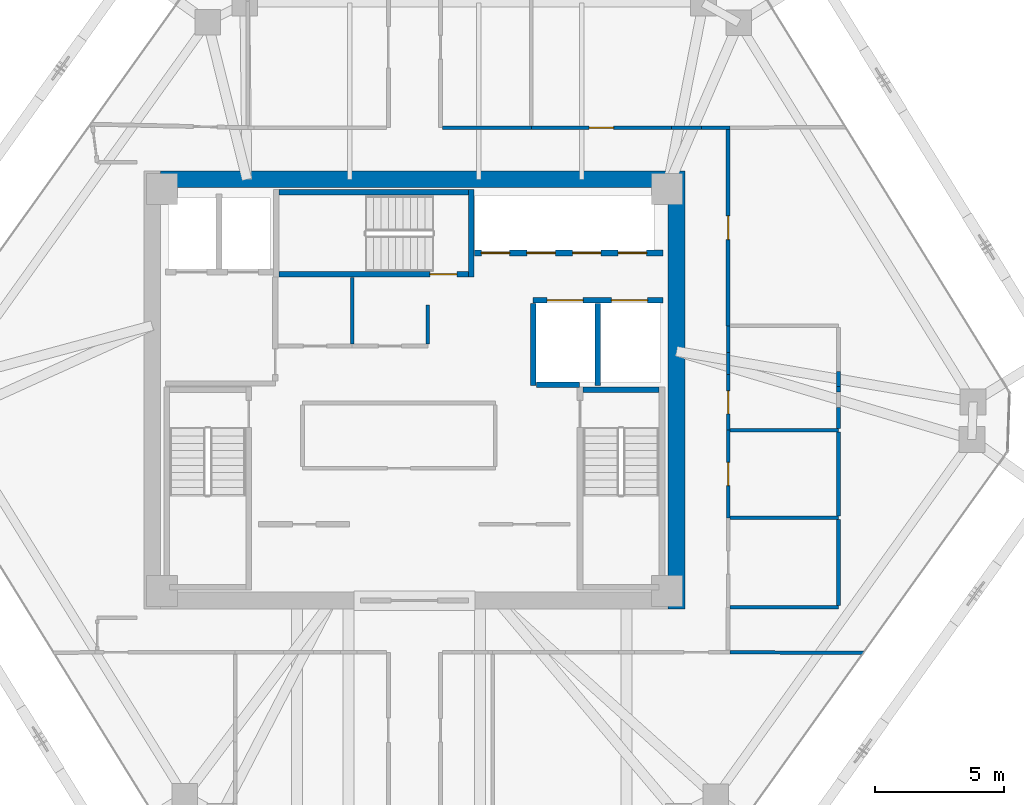
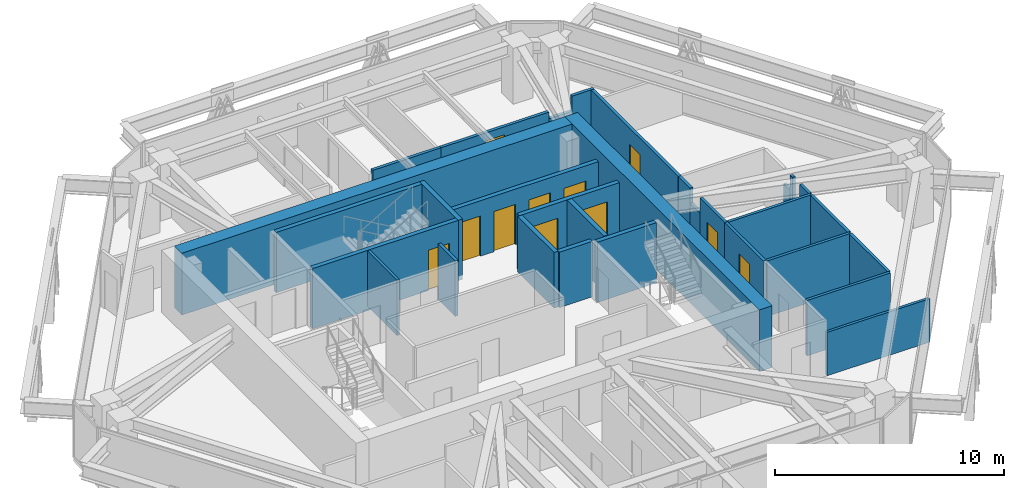
# One storey, part 12 of 14: 31 walls, 11 doors, 11 openings.
"""IFC4 building model written with IfcOpenShell, lengths in metres."""

from ifc_helpers import new_model, si_unit, direction, frame, frame_2d, origin, place, context, subcontext, project, spatial, rectangle, extrude, source, transform, mapped, material, layer, layer_set, type_object, type_shapes, element, fill, save


model = new_model("IFC4")

# Units and contexts
model_context = context("Model", 3, precision=1e-05, world=origin(), true_north=direction((0.0, 1.0)))
body_context = subcontext(model_context, "Body", "Model", "MODEL_VIEW")
ifc_project = project(units=[si_unit("LENGTHUNIT", "METRE"), si_unit("AREAUNIT", "SQUARE_METRE"), si_unit("VOLUMEUNIT", "CUBIC_METRE"), si_unit("PLANEANGLEUNIT", "RADIAN"), si_unit("MASSUNIT", "GRAM", prefix="KILO")], contexts=[model_context])

# Site, building, storey
site_placement = place(None, origin())
site = spatial("IfcSite", under=ifc_project, at=site_placement, CompositionType="ELEMENT")
building_placement = place(site_placement, origin())
building = spatial("IfcBuilding", under=site, at=building_placement, Name="Durnholm Broadcast Tower", CompositionType="ELEMENT")
storey_placement = place(building_placement, frame((0.0, 0.0, 159.300048828125)))
storey = spatial("IfcBuildingStorey", under=building, at=storey_placement, Name="L43", CompositionType="ELEMENT", Elevation=159.300048828125)

# Walls
ifc_material_1 = material(Name="Concrete C70/85", Category="concrete")
ifc_layer_1 = layer(ifc_material_1, 0.64990234375)
ifc_layer_set_1 = layer_set([ifc_layer_1], Name="Concrete C70/85")
wall_type_1 = type_object("IfcWallType", Name="WALL-CW-650", PredefinedType="SHEAR", material=ifc_layer_set_1)
wall_1_placement = place(storey_placement, frame((10.175048828125, -8.5, 0.0), z_axis=(0.0, 0.0, 1.0), x_axis=(0.0, 1.0, 0.0)))
element("IfcWall", 1, at=wall_1_placement, inside=storey, type_object=wall_type_1, Name="L43 central core shear wall CW-EAST", PredefinedType="SHEAR", context=body_context, shape_type="SweptSolid", body=[
    extrude(rectangle(XDim=17.0, YDim=0.64990234375, at=frame_2d((8.5, 0.0))), origin(), (0.0, 0.0, 1.0), 3.300048828125),
])
wall_2_placement = place(storey_placement, frame((-9.85009765625, 8.175048828125, 0.0), z_axis=(0.0, 0.0, 1.0), x_axis=(1.0, 0.0, 0.0)))
element("IfcWall", 2, at=wall_2_placement, inside=storey, type_object=wall_type_1, Name="L43 central core shear wall CW-N", PredefinedType="SHEAR", context=body_context, shape_type="SweptSolid", body=[
    extrude(rectangle(XDim=19.7001953125, YDim=0.64990234375, at=frame_2d((9.85009765625, 0.0))), origin(), (0.0, 0.0, 1.0), 3.300048828125),
])
ifc_material_2 = material(Name="Gypsum Metal Stud Partition", Category="concrete")
ifc_layer_2 = layer(ifc_material_2, 0.135009765625)
ifc_layer_set_2 = layer_set([ifc_layer_2], Name="Gypsum Metal Stud Partition")
wall_type_2 = type_object("IfcWallType", Name="WALL-PART-135", PredefinedType="PARTITIONING", material=ifc_layer_set_2)
wall_3_placement = place(storey_placement, frame((-2.419921875, 4.375, 0.0), z_axis=(0.0, 0.0, 1.0), x_axis=(0.0, -1.0, 0.0)))
element("IfcWall", 3, at=wall_3_placement, inside=storey, type_object=wall_type_2, Name="L43 room dividing partition 4.5", PredefinedType="PARTITIONING", context=body_context, shape_type="SweptSolid", body=[
    extrude(rectangle(XDim=2.5859375, YDim=0.135009765625, at=frame_2d((1.29296875, 0.0))), origin(), (0.0, 0.0, 1.0), 2.96484375),
])
wall_4_placement = place(storey_placement, frame((12.260009765625, -10.180419921875, 0.0), z_axis=(0.0, 0.0, 1.0), x_axis=(0.999990144117, -0.004439782427, 0.0)))
element("IfcWall", 4, at=wall_4_placement, inside=storey, type_object=wall_type_2, Name="L43 room dividing partition 16.19", PredefinedType="PARTITIONING", context=body_context, shape_type="SweptSolid", body=[
    extrude(rectangle(XDim=5.1689453125, YDim=0.135009765625, at=frame_2d((2.58447265625, 0.0))), origin(), (0.0, 0.0, 1.0), 2.31884765625),
])
ifc_material_3 = material(Name="Acoustic Gypsum Stud Partition", Category="concrete")
ifc_layer_3 = layer(ifc_material_3, 0.14990234375)
ifc_layer_set_3 = layer_set([ifc_layer_3], Name="Acoustic Gypsum Stud Partition")
wall_type_3 = type_object("IfcWallType", Name="WALL-PART-150", PredefinedType="PARTITIONING", material=ifc_layer_set_3)
wall_5_placement = place(storey_placement, frame((0.52001953125, 3.300048828125, 0.0), z_axis=(0.0, 0.0, 1.0), x_axis=(0.0, -1.0, 0.0)))
element("IfcWall", 5, at=wall_5_placement, inside=storey, type_object=wall_type_3, Name="L43 Core Mail and Supply Room corridor partition", PredefinedType="PARTITIONING", context=body_context, shape_type="SweptSolid", body=[
    extrude(rectangle(XDim=1.510986328125, YDim=0.14990234375, at=frame_2d((0.75537109375, 0.0))), origin(), (0.0, 0.0, 1.0), 2.96484375),
])
wall_6_placement = place(storey_placement, frame((4.5400390625, 10.179931640625, 0.0), z_axis=(0.0, 0.0, 1.0), x_axis=(-1.0, 0.0, 0.0)))
element("IfcWall", 6, at=wall_6_placement, inside=storey, type_object=wall_type_3, Name="L43 Acoustics Testing Office corridor partition", PredefinedType="PARTITIONING", context=body_context, shape_type="SweptSolid", body=[
    extrude(rectangle(XDim=3.450927734375, YDim=0.14990234375, at=frame_2d((1.7255859375, 0.0))), origin(), (0.0, 0.0, 1.0), 2.5283203125),
])
wall_7_placement = place(storey_placement, frame((12.260009765625, 10.179931640625, 0.0), z_axis=(0.0, 0.0, 1.0), x_axis=(-1.0, 0.0, 0.0)))
element("IfcWall", 7, at=wall_7_placement, inside=storey, type_object=wall_type_3, Name="L43 Camera Calibration Office corridor partition", PredefinedType="PARTITIONING", context=body_context, shape_type="SweptSolid", body=[
    extrude(rectangle(XDim=1.1142578125, YDim=0.14990234375, at=frame_2d((0.55712890625, 0.0))), origin(), (0.0, 0.0, 1.0), 2.96484375),
])

# Wall, opening, door
wall_8_placement = place(storey_placement, frame((9.971435546875, 10.179931640625, 0.0), z_axis=(0.0, 0.0, 1.0), x_axis=(-1.0, 0.0, 0.0)))
wall_8 = element("IfcWall", 8, at=wall_8_placement, inside=storey, type_object=wall_type_3, Name="L43 Camera Calibration Office corridor partition", PredefinedType="PARTITIONING", context=body_context, shape_type="SweptSolid", body=[
    extrude(rectangle(XDim=5.431396484375, YDim=0.14990234375, at=frame_2d((2.7158203125, 0.0))), origin(), (0.0, 0.0, 1.0), 2.5283203125),
])
opening_1_placement = place(wall_8_placement, frame((2.24072265625, 0.0, 0.0)))
opening_1 = element("IfcOpeningElement", 9, at=opening_1_placement, cuts=wall_8, Name="Opening DR-95R", PredefinedType="OPENING", context=body_context, shape_type="SweptSolid", body=[
    extrude(rectangle(XDim=0.949951171875, YDim=2.10009765625, at=frame_2d((0.47509765625, 1.050048828125))), frame((0.0, 0.0849609375, 0.0), z_axis=(0.0, -1.0, 0.0), x_axis=(1.0, 0.0, 0.0)), (0.0, 0.0, 1.0), 0.169921875),
])
ifc_material_4 = material(Name="Acoustic Oak Veneer Timber Door", Category="wood")
ifc_layer_4 = layer(ifc_material_4, 0.050048828125)
ifc_layer_set_4 = layer_set([ifc_layer_4], Name="Acoustic Oak Veneer Timber Door")
door_type_1 = type_object("IfcDoorType", Name="DOOR-RM-950R", OperationType="NOTDEFINED", PredefinedType="DOOR", material=ifc_layer_set_4)
shared_shape_1 = source(origin(), body_context, "Body", "SweptSolid", [
    extrude(rectangle(XDim=0.949951171875, YDim=2.10009765625, at=frame_2d((0.47509765625, 1.050048828125))), frame((0.0, 0.02490234375, 0.0), z_axis=(0.0, -1.0, 0.0), x_axis=(1.0, 0.0, 0.0)), (0.0, 0.0, 1.0), 0.050048828125),
])
type_shapes(door_type_1, [shared_shape_1])
door_1_placement = place(opening_1_placement, origin())
door_1 = element("IfcDoor", 10, at=door_1_placement, inside=storey, type_object=door_type_1, Name="L43 Camera Calibration Office entrance door", OperationType="SINGLE_SWING_RIGHT", OverallHeight=2.10009765625, OverallWidth=0.949951171875, PredefinedType="DOOR", context=body_context, shape_type="MappedRepresentation", body=[
    mapped(shared_shape_1, transform((0.0, 0.0, 0.0), x_axis=(1.0, 0.0, 0.0), y_axis=(0.0, 1.0, 0.0), z_axis=(0.0, 0.0, 1.0), scale=1.0)),
])
fill(opening_1, door_1)

# Wall
wall_9_placement = place(storey_placement, frame((11.145751953125, 10.179931640625, 0.0), z_axis=(0.0, 0.0, 1.0), x_axis=(-1.0, 0.0, 0.0)))
element("IfcWall", 11, at=wall_9_placement, inside=storey, type_object=wall_type_3, Name="L43 Camera Calibration Office corridor partition", PredefinedType="PARTITIONING", context=body_context, shape_type="SweptSolid", body=[
    extrude(rectangle(XDim=1.17431640625, YDim=0.14990234375, at=frame_2d((0.587158203125, 0.0))), origin(), (0.0, 0.0, 1.0), 2.161865234375),
])

# Wall, opening, door
wall_10_placement = place(storey_placement, frame((12.179931640625, 2.489990234375, 0.0), z_axis=(0.0, 0.0, 1.0), x_axis=(0.0, 1.0, 0.0)))
wall_10 = element("IfcWall", 12, at=wall_10_placement, inside=storey, type_object=wall_type_3, Name="L43 Camera Calibration Office corridor partition", PredefinedType="PARTITIONING", context=body_context, shape_type="SweptSolid", body=[
    extrude(rectangle(XDim=7.611083984375, YDim=0.14990234375, at=frame_2d((3.8056640625, 0.0))), origin(), (0.0, 0.0, 1.0), 2.96484375),
])
opening_2_placement = place(wall_10_placement, frame((3.345458984375, 0.0, 0.0)))
opening_2 = element("IfcOpeningElement", 13, at=opening_2_placement, cuts=wall_10, Name="Opening DR-92L", PredefinedType="OPENING", context=body_context, shape_type="SweptSolid", body=[
    extrude(rectangle(XDim=0.919921875, YDim=2.10009765625, at=frame_2d((0.4599609375, 1.050048828125))), frame((0.0, 0.0849609375, 0.0), z_axis=(0.0, -1.0, 0.0), x_axis=(1.0, 0.0, 0.0)), (0.0, 0.0, 1.0), 0.169921875),
])
ifc_material_5 = material(Name="Oak Veneer Office Door", Category="wood")
ifc_layer_5 = layer(ifc_material_5, 0.050048828125)
ifc_layer_set_5 = layer_set([ifc_layer_5], Name="Oak Veneer Office Door")
door_type_2 = type_object("IfcDoorType", Name="DOOR-RM-920L", OperationType="NOTDEFINED", PredefinedType="DOOR", material=ifc_layer_set_5)
shared_shape_2 = source(origin(), body_context, "Body", "SweptSolid", [
    extrude(rectangle(XDim=0.919921875, YDim=2.10009765625, at=frame_2d((0.4599609375, 1.050048828125))), frame((0.0, 0.02490234375, 0.0), z_axis=(0.0, -1.0, 0.0), x_axis=(1.0, 0.0, 0.0)), (0.0, 0.0, 1.0), 0.050048828125),
])
type_shapes(door_type_2, [shared_shape_2])
door_2_placement = place(opening_2_placement, origin())
door_2 = element("IfcDoor", 14, at=door_2_placement, inside=storey, type_object=door_type_2, Name="L43 Camera Calibration Office entrance door", OperationType="SINGLE_SWING_LEFT", OverallHeight=2.10009765625, OverallWidth=0.919921875, PredefinedType="DOOR", context=body_context, shape_type="MappedRepresentation", body=[
    mapped(shared_shape_2, transform((0.0, 0.0, 0.0), x_axis=(1.0, 0.0, 0.0), y_axis=(0.0, 1.0, 0.0), z_axis=(0.0, 0.0, 1.0), scale=1.0)),
])
fill(opening_2, door_2)

# Wall, openings, doors
ifc_material_6 = material(Name="Concrete Blockwork C30/37", Category="masonry")
ifc_layer_6 = layer(ifc_material_6, 0.219970703125)
ifc_layer_set_6 = layer_set([ifc_layer_6], Name="Concrete Blockwork C30/37")
wall_type_4 = type_object("IfcWallType", Name="WALL-SHAFT-220", PredefinedType="SOLIDWALL", material=ifc_layer_set_6)
wall_11_placement = place(storey_placement, frame((4.60009765625, 3.47998046875, 0.0), z_axis=(0.0, 0.0, 1.0), x_axis=(1.0, 0.0, 0.0)))
wall_11 = element("IfcWall", 15, at=wall_11_placement, inside=storey, type_object=wall_type_4, Name="L43 freight service lifts north front wall", PredefinedType="SOLIDWALL", context=body_context, shape_type="SweptSolid", body=[
    extrude(rectangle(XDim=5.0498046875, YDim=0.219970703125, at=frame_2d((2.52490234375, 0.0))), origin(), (0.0, 0.0, 1.0), 2.96484375),
])
opening_3_placement = place(wall_11_placement, frame((0.550048828125, 0.0, 0.0)))
opening_3 = element("IfcOpeningElement", 16, at=opening_3_placement, cuts=wall_11, Name="Opening LD-SVL-2", PredefinedType="OPENING", context=body_context, shape_type="SweptSolid", body=[
    extrude(rectangle(XDim=1.39990234375, YDim=2.14990234375, at=frame_2d((0.699951171875, 1.074951171875))), frame((0.0, 0.1201171875, 0.0), z_axis=(0.0, -1.0, 0.0), x_axis=(1.0, 0.0, 0.0)), (0.0, 0.0, 1.0), 0.239990234375),
])
opening_4_placement = place(wall_11_placement, frame((3.050048828125, 0.0, 0.0)))
opening_4 = element("IfcOpeningElement", 17, at=opening_4_placement, cuts=wall_11, Name="Opening LD-SVL-1", PredefinedType="OPENING", context=body_context, shape_type="SweptSolid", body=[
    extrude(rectangle(XDim=1.39990234375, YDim=2.14990234375, at=frame_2d((0.699951171875, 1.074951171875))), frame((0.0, 0.1201171875, 0.0), z_axis=(0.0, -1.0, 0.0), x_axis=(1.0, 0.0, 0.0)), (0.0, 0.0, 1.0), 0.239990234375),
])
ifc_material_7 = material(Name="Freight Elevator Bi-Parting Sliding Landing Door", Category="steel")
ifc_layer_7 = layer(ifc_material_7, 0.050048828125)
ifc_layer_set_7 = layer_set([ifc_layer_7], Name="Freight Elevator Bi-Parting Sliding Landing Door")
door_type_3 = type_object("IfcDoorType", Name="DOOR-LIFT-SVL", OperationType="DOUBLE_DOOR_SLIDING", PredefinedType="DOOR", material=ifc_layer_set_7)
shared_shape_3 = source(origin(), body_context, "Body", "SweptSolid", [
    extrude(rectangle(XDim=1.39990234375, YDim=2.14990234375, at=frame_2d((0.699951171875, 1.074951171875))), frame((0.0, 0.02490234375, 0.0), z_axis=(0.0, -1.0, 0.0), x_axis=(1.0, 0.0, 0.0)), (0.0, 0.0, 1.0), 0.050048828125),
])
type_shapes(door_type_3, [shared_shape_3])
door_3_placement = place(opening_3_placement, origin())
door_3 = element("IfcDoor", 18, at=door_3_placement, inside=storey, type_object=door_type_3, Name="L43 freight service elevator SVL-2 sliding landing door", OperationType="DOUBLE_DOOR_SLIDING", OverallHeight=2.14990234375, OverallWidth=1.39990234375, PredefinedType="DOOR", context=body_context, shape_type="MappedRepresentation", body=[
    mapped(shared_shape_3, transform((0.0, 0.0, 0.0), x_axis=(1.0, 0.0, 0.0), y_axis=(0.0, 1.0, 0.0), z_axis=(0.0, 0.0, 1.0), scale=1.0)),
])
fill(opening_3, door_3)
door_4_placement = place(opening_4_placement, origin())
door_4 = element("IfcDoor", 19, at=door_4_placement, inside=storey, type_object=door_type_3, Name="L43 freight service elevator SVL-1 sliding landing door", OperationType="DOUBLE_DOOR_SLIDING", OverallHeight=2.14990234375, OverallWidth=1.39990234375, PredefinedType="DOOR", context=body_context, shape_type="MappedRepresentation", body=[
    mapped(shared_shape_3, transform((0.0, 0.0, 0.0), x_axis=(1.0, 0.0, 0.0), y_axis=(0.0, 1.0, 0.0), z_axis=(0.0, 0.0, 1.0), scale=1.0)),
])
fill(opening_4, door_4)

# Walls
for number, where, z_axis, x_axis, name in (
    (20, (4.6201171875, 0.179931640625, 0.0), (0.0, 0.0, 1.0), (0.0, 1.0, 0.0), "L43 freight service lift SVL-2 west wall"),
    (21, (7.1201171875, 0.179931640625, 0.0), (0.0, 0.0, 1.0), (0.0, 1.0, 0.0), "L43 freight service lifts divider wall"),
):
    element("IfcWall", number, at=place(storey_placement, frame(where, z_axis=z_axis, x_axis=x_axis)), inside=storey, type_object=wall_type_4, Name=name, PredefinedType="SOLIDWALL", context=body_context, shape_type="SweptSolid", body=[
        extrude(rectangle(XDim=3.18603515625, YDim=0.219970703125, at=frame_2d((1.593017578125, 0.0))), origin(), (0.0, 0.0, 1.0), 2.96484375),
    ])
wall_12_placement = place(storey_placement, frame((4.73388671875, 0.199951171875, 0.0), z_axis=(0.0, 0.0, 1.0), x_axis=(1.0, 0.0, 0.0)))
element("IfcWall", 22, at=wall_12_placement, inside=storey, type_object=wall_type_4, Name="L43 freight service lift SVL-2 south wall", PredefinedType="SOLIDWALL", context=body_context, shape_type="SweptSolid", body=[
    extrude(rectangle(XDim=1.666015625, YDim=0.219970703125, at=frame_2d((0.8330078125, 0.0))), origin(), (0.0, 0.0, 1.0), 2.96484375),
])

# Wall, openings, doors
wall_13_placement = place(storey_placement, frame((2.324951171875, 5.320068359375, 0.0), z_axis=(0.0, 0.0, 1.0), x_axis=(1.0, 0.0, 0.0)))
wall_13 = element("IfcWall", 23, at=wall_13_placement, inside=storey, type_object=wall_type_4, Name="L43 high-rise bank P3 south front wall", PredefinedType="SOLIDWALL", context=body_context, shape_type="SweptSolid", body=[
    extrude(rectangle(XDim=7.324951171875, YDim=0.219970703125, at=frame_2d((3.66259765625, 0.0))), origin(), (0.0, 0.0, 1.0), 2.96484375),
])
opening_5_placement = place(wall_13_placement, frame((0.27490234375, 0.0, 0.0)))
opening_5 = element("IfcOpeningElement", 24, at=opening_5_placement, cuts=wall_13, Name="Opening LD-LP3-1", PredefinedType="OPENING", context=body_context, shape_type="SweptSolid", body=[
    extrude(rectangle(XDim=1.10009765625, YDim=2.14990234375, at=frame_2d((0.550048828125, 1.074951171875))), frame((0.0, 0.1201171875, 0.0), z_axis=(0.0, -1.0, 0.0), x_axis=(1.0, 0.0, 0.0)), (0.0, 0.0, 1.0), 0.239990234375),
])
opening_6_placement = place(wall_13_placement, frame((2.044921875, 0.0, 0.0)))
opening_6 = element("IfcOpeningElement", 25, at=opening_6_placement, cuts=wall_13, Name="Opening LD-LP3-2", PredefinedType="OPENING", context=body_context, shape_type="SweptSolid", body=[
    extrude(rectangle(XDim=1.10009765625, YDim=2.14990234375, at=frame_2d((0.550048828125, 1.074951171875))), frame((0.0, 0.1201171875, 0.0), z_axis=(0.0, -1.0, 0.0), x_axis=(1.0, 0.0, 0.0)), (0.0, 0.0, 1.0), 0.239990234375),
])
opening_7_placement = place(wall_13_placement, frame((3.81494140625, 0.0, 0.0)))
opening_7 = element("IfcOpeningElement", 26, at=opening_7_placement, cuts=wall_13, Name="Opening LD-LP3-3", PredefinedType="OPENING", context=body_context, shape_type="SweptSolid", body=[
    extrude(rectangle(XDim=1.10009765625, YDim=2.14990234375, at=frame_2d((0.550048828125, 1.074951171875))), frame((0.0, 0.1201171875, 0.0), z_axis=(0.0, -1.0, 0.0), x_axis=(1.0, 0.0, 0.0)), (0.0, 0.0, 1.0), 0.239990234375),
])
opening_8_placement = place(wall_13_placement, frame((5.5849609375, 0.0, 0.0)))
opening_8 = element("IfcOpeningElement", 27, at=opening_8_placement, cuts=wall_13, Name="Opening LD-LP3-4", PredefinedType="OPENING", context=body_context, shape_type="SweptSolid", body=[
    extrude(rectangle(XDim=1.10009765625, YDim=2.14990234375, at=frame_2d((0.550048828125, 1.074951171875))), frame((0.0, 0.1201171875, 0.0), z_axis=(0.0, -1.0, 0.0), x_axis=(1.0, 0.0, 0.0)), (0.0, 0.0, 1.0), 0.239990234375),
])
ifc_material_8 = material(Name="Stainless Steel Sliding Elevator Landing Door", Category="steel")
ifc_layer_8 = layer(ifc_material_8, 0.050048828125)
ifc_layer_set_8 = layer_set([ifc_layer_8], Name="Stainless Steel Sliding Elevator Landing Door")
door_type_4 = type_object("IfcDoorType", Name="DOOR-LIFT-PAX", OperationType="DOUBLE_DOOR_SLIDING", PredefinedType="DOOR", material=ifc_layer_set_8)
shared_shape_4 = source(origin(), body_context, "Body", "SweptSolid", [
    extrude(rectangle(XDim=1.10009765625, YDim=2.14990234375, at=frame_2d((0.550048828125, 1.074951171875))), frame((0.0, 0.02490234375, 0.0), z_axis=(0.0, -1.0, 0.0), x_axis=(1.0, 0.0, 0.0)), (0.0, 0.0, 1.0), 0.050048828125),
])
type_shapes(door_type_4, [shared_shape_4])
door_5_placement = place(opening_5_placement, origin())
door_5 = element("IfcDoor", 28, at=door_5_placement, inside=storey, type_object=door_type_4, Name="L43 high-rise elevator LP3-1 sliding landing door", OperationType="DOUBLE_DOOR_SLIDING", OverallHeight=2.14990234375, OverallWidth=1.10009765625, PredefinedType="DOOR", context=body_context, shape_type="MappedRepresentation", body=[
    mapped(shared_shape_4, transform((0.0, 0.0, 0.0), x_axis=(1.0, 0.0, 0.0), y_axis=(0.0, 1.0, 0.0), z_axis=(0.0, 0.0, 1.0), scale=1.0)),
])
fill(opening_5, door_5)
door_6_placement = place(opening_6_placement, origin())
door_6 = element("IfcDoor", 29, at=door_6_placement, inside=storey, type_object=door_type_4, Name="L43 high-rise elevator LP3-2 sliding landing door", OperationType="DOUBLE_DOOR_SLIDING", OverallHeight=2.14990234375, OverallWidth=1.10009765625, PredefinedType="DOOR", context=body_context, shape_type="MappedRepresentation", body=[
    mapped(shared_shape_4, transform((0.0, 0.0, 0.0), x_axis=(1.0, 0.0, 0.0), y_axis=(0.0, 1.0, 0.0), z_axis=(0.0, 0.0, 1.0), scale=1.0)),
])
fill(opening_6, door_6)
door_7_placement = place(opening_7_placement, origin())
door_7 = element("IfcDoor", 30, at=door_7_placement, inside=storey, type_object=door_type_4, Name="L43 high-rise elevator LP3-3 sliding landing door", OperationType="DOUBLE_DOOR_SLIDING", OverallHeight=2.14990234375, OverallWidth=1.10009765625, PredefinedType="DOOR", context=body_context, shape_type="MappedRepresentation", body=[
    mapped(shared_shape_4, transform((0.0, 0.0, 0.0), x_axis=(1.0, 0.0, 0.0), y_axis=(0.0, 1.0, 0.0), z_axis=(0.0, 0.0, 1.0), scale=1.0)),
])
fill(opening_7, door_7)
door_8_placement = place(opening_8_placement, origin())
door_8 = element("IfcDoor", 31, at=door_8_placement, inside=storey, type_object=door_type_4, Name="L43 high-rise elevator LP3-4 sliding landing door", OperationType="DOUBLE_DOOR_SLIDING", OverallHeight=2.14990234375, OverallWidth=1.10009765625, PredefinedType="DOOR", context=body_context, shape_type="MappedRepresentation", body=[
    mapped(shared_shape_4, transform((0.0, 0.0, 0.0), x_axis=(1.0, 0.0, 0.0), y_axis=(0.0, 1.0, 0.0), z_axis=(0.0, 0.0, 1.0), scale=1.0)),
])
fill(opening_8, door_8)

# Walls
ifc_material_9 = material(Name="Concrete C50/60", Category="concrete")
ifc_layer_9 = layer(ifc_material_9, 0.219970703125)
ifc_layer_set_9 = layer_set([ifc_layer_9], Name="Concrete C50/60")
wall_type_5 = type_object("IfcWallType", Name="WALL-SW-220", PredefinedType="SHEAR", material=ifc_layer_set_9)
wall_14_placement = place(storey_placement, frame((9.5, 0.010009765625, -0.239990234375), z_axis=(0.0, 0.0, 1.0), x_axis=(-1.0, 0.0, 0.0)))
element("IfcWall", 32, at=wall_14_placement, inside=storey, type_object=wall_type_5, Name="L43 stair ST-2 structural shaft wall N", PredefinedType="SHEAR", context=body_context, shape_type="SweptSolid", body=[
    extrude(rectangle(XDim=2.9599609375, YDim=0.219970703125, at=frame_2d((1.47998046875, 0.0))), origin(), (0.0, 0.0, 1.0), 3.219970703125),
])
wall_15_placement = place(storey_placement, frame((2.2099609375, 4.3798828125, -0.239990234375), z_axis=(0.0, 0.0, 1.0), x_axis=(0.0, 1.0, 0.0)))
element("IfcWall", 33, at=wall_15_placement, inside=storey, type_object=wall_type_5, Name="L43 stair ST-3 structural shaft wall E", PredefinedType="SHEAR", context=body_context, shape_type="SweptSolid", body=[
    extrude(rectangle(XDim=3.400146484375, YDim=0.219970703125, at=frame_2d((1.7001953125, 0.0))), origin(), (0.0, 0.0, 1.0), 3.219970703125),
])

# Wall, opening, door
wall_16_placement = place(storey_placement, frame((-5.25, 4.489990234375, -0.239990234375), z_axis=(0.0, 0.0, 1.0), x_axis=(1.0, 0.0, 0.0)))
wall_16 = element("IfcWall", 34, at=wall_16_placement, inside=storey, type_object=wall_type_5, Name="L43 stair ST-3 structural shaft wall S", PredefinedType="SHEAR", context=body_context, shape_type="SweptSolid", body=[
    extrude(rectangle(XDim=7.35009765625, YDim=0.219970703125, at=frame_2d((3.675048828125, 0.0))), origin(), (0.0, 0.0, 1.0), 3.219970703125),
])
opening_9_placement = place(wall_16_placement, frame((5.85009765625, 0.0, 0.0)))
opening_9 = element("IfcOpeningElement", 35, at=opening_9_placement, cuts=wall_16, Name="Opening DS-90L", PredefinedType="OPENING", context=body_context, shape_type="SweptSolid", body=[
    extrude(rectangle(XDim=1.050048828125, YDim=2.14990234375, at=frame_2d((0.52490234375, 1.074951171875))), frame((0.0, 0.1201171875, 0.0), z_axis=(0.0, -1.0, 0.0), x_axis=(1.0, 0.0, 0.0)), (0.0, 0.0, 1.0), 0.239990234375),
])
ifc_material_10 = material(Name="Fire-Rated Steel Door", Category="steel")
ifc_layer_10 = layer(ifc_material_10, 0.050048828125)
ifc_layer_set_10 = layer_set([ifc_layer_10], Name="Fire-Rated Steel Door")
door_type_5 = type_object("IfcDoorType", Name="DOOR-ST-FD90-L", OperationType="NOTDEFINED", PredefinedType="DOOR", material=ifc_layer_set_10)
shared_shape_5 = source(origin(), body_context, "Body", "SweptSolid", [
    extrude(rectangle(XDim=1.050048828125, YDim=2.14990234375, at=frame_2d((0.52490234375, 1.074951171875))), frame((0.0, 0.02490234375, 0.0), z_axis=(0.0, -1.0, 0.0), x_axis=(1.0, 0.0, 0.0)), (0.0, 0.0, 1.0), 0.050048828125),
])
type_shapes(door_type_5, [shared_shape_5])
door_9_placement = place(opening_9_placement, origin())
door_9 = element("IfcDoor", 36, at=door_9_placement, inside=storey, type_object=door_type_5, Name="L43 exit stair ST-3 fire door", OperationType="SINGLE_SWING_LEFT", OverallHeight=2.14990234375, OverallWidth=1.050048828125, PredefinedType="DOOR", context=body_context, shape_type="MappedRepresentation", body=[
    mapped(shared_shape_5, transform((0.0, 0.0, 0.0), x_axis=(1.0, 0.0, 0.0), y_axis=(0.0, 1.0, 0.0), z_axis=(0.0, 0.0, 1.0), scale=1.0)),
])
fill(opening_9, door_9)

# Wall
wall_17_placement = place(storey_placement, frame((2.10009765625, 7.669921875, -0.239990234375), z_axis=(0.0, 0.0, 1.0), x_axis=(-1.0, 0.0, 0.0)))
element("IfcWall", 37, at=wall_17_placement, inside=storey, type_object=wall_type_5, Name="L43 stair ST-3 structural shaft wall N", PredefinedType="SHEAR", context=body_context, shape_type="SweptSolid", body=[
    extrude(rectangle(XDim=7.35009765625, YDim=0.219970703125, at=frame_2d((3.675048828125, 0.0))), origin(), (0.0, 0.0, 1.0), 3.219970703125),
])

# Wall, opening, door
ifc_material_11 = material(Name="Moisture-Resistant Tile Partition", Category="concrete")
ifc_layer_11 = layer(ifc_material_11, 0.139892578125)
ifc_layer_set_11 = layer_set([ifc_layer_11], Name="Moisture-Resistant Tile Partition")
wall_type_6 = type_object("IfcWallType", Name="WALL-WC-140", PredefinedType="PARTITIONING", material=ifc_layer_set_11)
wall_18_placement = place(storey_placement, frame((12.179931640625, -4.9599609375, 0.0), z_axis=(0.0, 0.0, 1.0), x_axis=(0.0, 1.0, 0.0)))
wall_18 = element("IfcWall", 38, at=wall_18_placement, inside=storey, type_object=wall_type_6, Name="L43 Women's Restroom corridor partition", PredefinedType="PARTITIONING", context=body_context, shape_type="SweptSolid", body=[
    extrude(rectangle(XDim=3.39990234375, YDim=0.139892578125, at=frame_2d((1.699951171875, 0.0))), origin(), (0.0, 0.0, 1.0), 2.96484375),
])
opening_10_placement = place(wall_18_placement, frame((1.25, 0.0, 0.0)))
opening_10 = element("IfcOpeningElement", 39, at=opening_10_placement, cuts=wall_18, Name="Opening DW-90L", PredefinedType="OPENING", context=body_context, shape_type="SweptSolid", body=[
    extrude(rectangle(XDim=0.89990234375, YDim=2.050048828125, at=frame_2d((0.449951171875, 1.02490234375))), frame((0.0, 0.080078125, 0.0), z_axis=(0.0, -1.0, 0.0), x_axis=(1.0, 0.0, 0.0)), (0.0, 0.0, 1.0), 0.159912109375),
])
ifc_material_12 = material(Name="Laminate Restroom Door", Category="steel")
ifc_layer_12 = layer(ifc_material_12, 0.050048828125)
ifc_layer_set_12 = layer_set([ifc_layer_12], Name="Laminate Restroom Door")
door_type_6 = type_object("IfcDoorType", Name="DOOR-WC-900L", OperationType="NOTDEFINED", PredefinedType="DOOR", material=ifc_layer_set_12)
shared_shape_6 = source(origin(), body_context, "Body", "SweptSolid", [
    extrude(rectangle(XDim=0.89990234375, YDim=2.050048828125, at=frame_2d((0.449951171875, 1.02490234375))), frame((0.0, 0.02490234375, 0.0), z_axis=(0.0, -1.0, 0.0), x_axis=(1.0, 0.0, 0.0)), (0.0, 0.0, 1.0), 0.050048828125),
])
type_shapes(door_type_6, [shared_shape_6])
door_10_placement = place(opening_10_placement, origin())
door_10 = element("IfcDoor", 40, at=door_10_placement, inside=storey, type_object=door_type_6, Name="L43 Women's Restroom entrance door", OperationType="SINGLE_SWING_LEFT", OverallHeight=2.050048828125, OverallWidth=0.89990234375, PredefinedType="DOOR", context=body_context, shape_type="MappedRepresentation", body=[
    mapped(shared_shape_6, transform((0.0, 0.0, 0.0), x_axis=(1.0, 0.0, 0.0), y_axis=(0.0, 1.0, 0.0), z_axis=(0.0, 0.0, 1.0), scale=1.0)),
])
fill(opening_10, door_10)

wall_19_placement = place(storey_placement, frame((12.179931640625, -1.56005859375, 0.0), z_axis=(0.0, 0.0, 1.0), x_axis=(0.0, 1.0, 0.0)))
wall_19 = element("IfcWall", 41, at=wall_19_placement, inside=storey, type_object=wall_type_6, Name="L43 Accessible Restroom corridor partition", PredefinedType="PARTITIONING", context=body_context, shape_type="SweptSolid", body=[
    extrude(rectangle(XDim=2.158935546875, YDim=0.139892578125, at=frame_2d((1.07958984375, 0.0))), origin(), (0.0, 0.0, 1.0), 2.96484375),
])
opening_11_placement = place(wall_19_placement, frame((0.62939453125, 0.0, 0.0)))
opening_11 = element("IfcOpeningElement", 42, at=opening_11_placement, cuts=wall_19, Name="Opening DW-90R", PredefinedType="OPENING", context=body_context, shape_type="SweptSolid", body=[
    extrude(rectangle(XDim=0.89990234375, YDim=2.050048828125, at=frame_2d((0.449951171875, 1.02490234375))), frame((0.0, 0.080078125, 0.0), z_axis=(0.0, -1.0, 0.0), x_axis=(1.0, 0.0, 0.0)), (0.0, 0.0, 1.0), 0.159912109375),
])
ifc_layer_13 = layer(ifc_material_12, 0.050048828125)
ifc_layer_set_13 = layer_set([ifc_layer_13], Name="Laminate Restroom Door")
door_type_7 = type_object("IfcDoorType", Name="DOOR-WC-900R", OperationType="NOTDEFINED", PredefinedType="DOOR", material=ifc_layer_set_13)
shared_shape_7 = source(origin(), body_context, "Body", "SweptSolid", [
    extrude(rectangle(XDim=0.89990234375, YDim=2.050048828125, at=frame_2d((0.449951171875, 1.02490234375))), frame((0.0, 0.02490234375, 0.0), z_axis=(0.0, -1.0, 0.0), x_axis=(1.0, 0.0, 0.0)), (0.0, 0.0, 1.0), 0.050048828125),
])
type_shapes(door_type_7, [shared_shape_7])
door_11_placement = place(opening_11_placement, origin())
door_11 = element("IfcDoor", 43, at=door_11_placement, inside=storey, type_object=door_type_7, Name="L43 Accessible Restroom entrance door", OperationType="SINGLE_SWING_RIGHT", OverallHeight=2.050048828125, OverallWidth=0.89990234375, PredefinedType="DOOR", context=body_context, shape_type="MappedRepresentation", body=[
    mapped(shared_shape_7, transform((0.0, 0.0, 0.0), x_axis=(1.0, 0.0, 0.0), y_axis=(0.0, 1.0, 0.0), z_axis=(0.0, 0.0, 1.0), scale=1.0)),
])
fill(opening_11, door_11)

# Walls
wall_20_placement = place(storey_placement, frame((12.179931640625, 1.451904296875, 0.0), z_axis=(0.0, 0.0, 1.0), x_axis=(0.0, 1.0, 0.0)))
element("IfcWall", 44, at=wall_20_placement, inside=storey, type_object=wall_type_6, Name="L43 Accessible Restroom corridor partition", PredefinedType="PARTITIONING", context=body_context, shape_type="SweptSolid", body=[
    extrude(rectangle(XDim=1.0380859375, YDim=0.139892578125, at=frame_2d((0.51904296875, 0.0))), origin(), (0.0, 0.0, 1.0), 2.96484375),
])
wall_21_placement = place(storey_placement, frame((12.179931640625, 0.598876953125, 0.0), z_axis=(0.0, 0.0, 1.0), x_axis=(0.0, 1.0, 0.0)))
element("IfcWall", 45, at=wall_21_placement, inside=storey, type_object=wall_type_6, Name="L43 Accessible Restroom corridor partition", PredefinedType="PARTITIONING", context=body_context, shape_type="SweptSolid", body=[
    extrude(rectangle(XDim=0.85302734375, YDim=0.139892578125, at=frame_2d((0.426513671875, 0.0))), origin(), (0.0, 0.0, 1.0), 2.161865234375),
])
wall_22_placement = place(storey_placement, frame((12.25390625, -4.9599609375, 0.0), z_axis=(0.0, 0.0, 1.0), x_axis=(1.0, 0.0, 0.0)))
element("IfcWall", 46, at=wall_22_placement, inside=storey, type_object=wall_type_6, Name="L43 room dividing partition 6.7", PredefinedType="PARTITIONING", context=body_context, shape_type="SweptSolid", body=[
    extrude(rectangle(XDim=4.2060546875, YDim=0.139892578125, at=frame_2d((2.10302734375, 0.0))), origin(), (0.0, 0.0, 1.0), 2.96484375),
])
wall_23_placement = place(storey_placement, frame((16.4599609375, -8.43994140625, 0.0), z_axis=(0.0, 0.0, 1.0), x_axis=(-1.0, 0.0, 0.0)))
element("IfcWall", 47, at=wall_23_placement, inside=storey, type_object=wall_type_6, Name="L43 room dividing partition 6.19", PredefinedType="PARTITIONING", context=body_context, shape_type="SweptSolid", body=[
    extrude(rectangle(XDim=4.200927734375, YDim=0.139892578125, at=frame_2d((2.1005859375, 0.0))), origin(), (0.0, 0.0, 1.0), 2.96484375),
])
wall_24_placement = place(storey_placement, frame((16.4599609375, -5.033935546875, 0.0), z_axis=(0.0, 0.0, 1.0), x_axis=(0.0, -1.0, 0.0)))
element("IfcWall", 48, at=wall_24_placement, inside=storey, type_object=wall_type_6, Name="L43 room dividing partition 6.19", PredefinedType="PARTITIONING", context=body_context, shape_type="SweptSolid", body=[
    extrude(rectangle(XDim=3.33203125, YDim=0.139892578125, at=frame_2d((1.666015625, 0.0))), origin(), (0.0, 0.0, 1.0), 2.96484375),
])
wall_25_placement = place(storey_placement, frame((12.25390625, -1.56005859375, 0.0), z_axis=(0.0, 0.0, 1.0), x_axis=(1.0, 0.0, 0.0)))
element("IfcWall", 49, at=wall_25_placement, inside=storey, type_object=wall_type_6, Name="L43 room dividing partition 7.8", PredefinedType="PARTITIONING", context=body_context, shape_type="SweptSolid", body=[
    extrude(rectangle(XDim=4.2060546875, YDim=0.139892578125, at=frame_2d((2.10302734375, 0.0))), origin(), (0.0, 0.0, 1.0), 2.96484375),
])
wall_26_placement = place(storey_placement, frame((16.4599609375, -1.634033203125, 0.0), z_axis=(0.0, 0.0, 1.0), x_axis=(0.0, -1.0, 0.0)))
element("IfcWall", 50, at=wall_26_placement, inside=storey, type_object=wall_type_6, Name="L43 room dividing partition 7.19", PredefinedType="PARTITIONING", context=body_context, shape_type="SweptSolid", body=[
    extrude(rectangle(XDim=3.251953125, YDim=0.139892578125, at=frame_2d((1.6259765625, 0.0))), origin(), (0.0, 0.0, 1.0), 2.96484375),
])
wall_27_placement = place(storey_placement, frame((16.4599609375, 0.13134765625, 0.0), z_axis=(0.0, 0.0, 1.0), x_axis=(0.0, -1.0, 0.0)))
element("IfcWall", 51, at=wall_27_placement, inside=storey, type_object=wall_type_6, Name="L43 room dividing partition 8.19", PredefinedType="PARTITIONING", context=body_context, shape_type="SweptSolid", body=[
    extrude(rectangle(XDim=0.203369140625, YDim=0.139892578125, at=frame_2d((0.1015625, 0.0))), origin(), (0.0, 0.0, 1.0), 2.96484375),
])
wall_28_placement = place(storey_placement, frame((16.4599609375, -0.677978515625, 0.0), z_axis=(0.0, 0.0, 1.0), x_axis=(0.0, -1.0, 0.0)))
element("IfcWall", 52, at=wall_28_placement, inside=storey, type_object=wall_type_6, Name="L43 room dividing partition 8.19", PredefinedType="PARTITIONING", context=body_context, shape_type="SweptSolid", body=[
    extrude(rectangle(XDim=0.80810546875, YDim=0.139892578125, at=frame_2d((0.404052734375, 0.0))), origin(), (0.0, 0.0, 1.0), 2.96484375),
])
wall_29_placement = place(storey_placement, frame((16.4599609375, 0.720458984375, 0.0), z_axis=(0.0, 0.0, 1.0), x_axis=(0.0, -1.0, 0.0)))
element("IfcWall", 53, at=wall_29_placement, inside=storey, type_object=wall_type_6, Name="L43 room dividing partition 8.19", PredefinedType="PARTITIONING", context=body_context, shape_type="SweptSolid", body=[
    extrude(rectangle(XDim=0.589111328125, YDim=0.139892578125, at=frame_2d((0.29443359375, 0.0))), origin(), (0.0, 0.0, 1.0), 2.161865234375),
])

save(model, "model.ifc")
